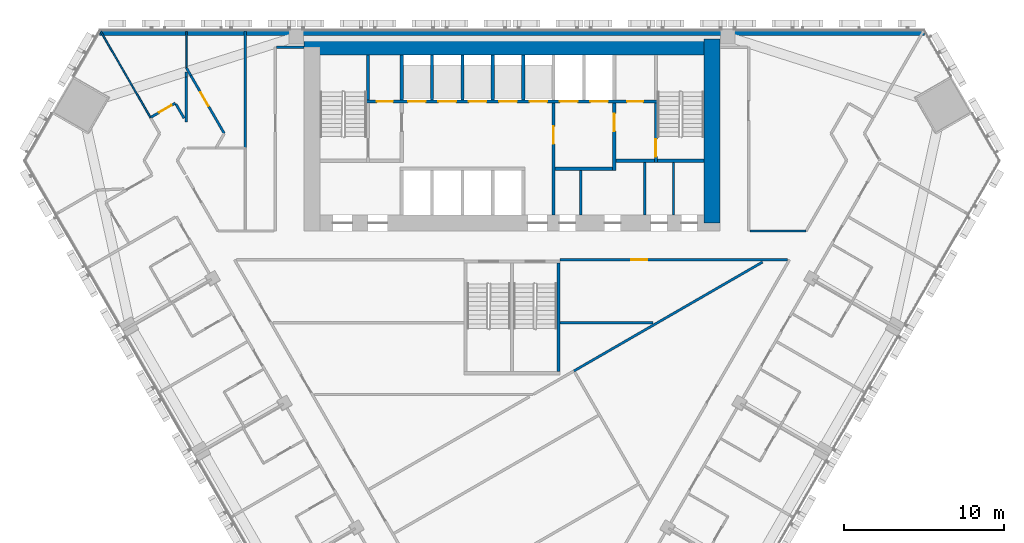
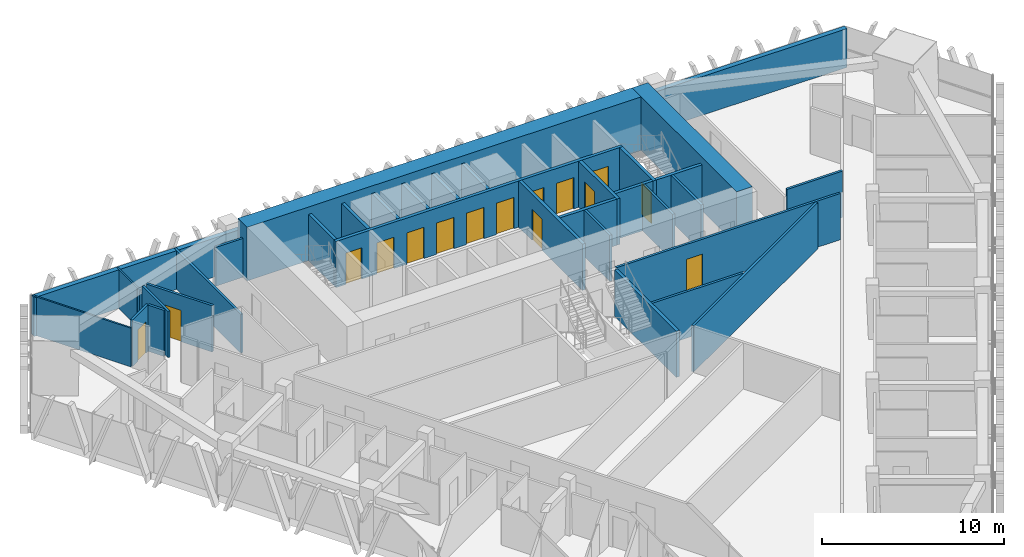
# One storey, part 12 of 17: 34 walls, 15 doors, 15 openings.
"""IFC4 building model written with IfcOpenShell, lengths in metres."""

from ifc_helpers import new_model, si_unit, direction, frame, frame_2d, origin, place, context, subcontext, project, spatial, rectangle, extrude, material, layer, layer_set, type_object, element, fill, save


model = new_model("IFC4")

# Units and contexts
model_context = context("Model", 3, precision=1e-05, world=origin(), true_north=direction((0.0, 1.0)))
body_context = subcontext(model_context, "Body", "Model", "MODEL_VIEW")
ifc_project = project(units=[si_unit("LENGTHUNIT", "METRE"), si_unit("AREAUNIT", "SQUARE_METRE"), si_unit("VOLUMEUNIT", "CUBIC_METRE"), si_unit("PLANEANGLEUNIT", "RADIAN"), si_unit("MASSUNIT", "GRAM", prefix="KILO")], contexts=[model_context])

# Site, building, storey
site_placement = place(None, origin())
site = spatial("IfcSite", under=ifc_project, at=site_placement, CompositionType="ELEMENT")
building_placement = place(site_placement, origin())
building = spatial("IfcBuilding", under=site, at=building_placement, Name="Altiplano Prism Tower", CompositionType="ELEMENT")
storey_placement = place(building_placement, frame((0.0, 0.0, 52.199951171875)))
storey = spatial("IfcBuildingStorey", under=building, at=storey_placement, Name="L12", CompositionType="ELEMENT", Elevation=52.199951171875)

# Walls
ifc_material_1 = material(Name="Concrete C70/85", Category="concrete")
ifc_layer_1 = layer(ifc_material_1, 1.0)
ifc_layer_set_1 = layer_set([ifc_layer_1], Name="Concrete C70/85")
wall_type_1 = type_object("IfcWallType", Name="Core wall 1000", PredefinedType="SHEAR", material=ifc_layer_set_1)
wall_1_placement = place(storey_placement, frame((97.5, 92.89990234375, 0.0), z_axis=(0.0, 0.0, 1.0), x_axis=(0.0, 1.0, 0.0)))
element("IfcWall", 1, at=wall_1_placement, inside=storey, type_object=wall_type_1, Name="Core wall E L12", PredefinedType="SHEAR", context=body_context, shape_type="SweptSolid", body=[
    extrude(rectangle(XDim=11.5, YDim=1.0, at=frame_2d((5.75, 0.0))), origin(), (0.0, 0.0, 1.0), 3.60009765625),
])
wall_2_placement = place(storey_placement, frame((97.5, 103.89990234375, 0.0), z_axis=(0.0, 0.0, 1.0), x_axis=(-1.0, 0.0, 0.0)))
element("IfcWall", 2, at=wall_2_placement, inside=storey, type_object=wall_type_1, Name="Core wall N L12", PredefinedType="SHEAR", context=body_context, shape_type="SweptSolid", body=[
    extrude(rectangle(XDim=25.5, YDim=1.0, at=frame_2d((12.75, 0.0))), origin(), (0.0, 0.0, 1.0), 3.60009765625),
])
ifc_material_2 = material(Name="Plasterboard on steel stud", Category="steel")
ifc_layer_2 = layer(ifc_material_2, 0.10009765625)
ifc_layer_set_2 = layer_set([ifc_layer_2], Name="Plasterboard on steel stud")
wall_type_2 = type_object("IfcWallType", Name="Partition 100 wet", PredefinedType="PARTITIONING", material=ifc_layer_set_2)
wall_3_placement = place(storey_placement, frame((64.626708984375, 102.614501953125, 0.0), z_axis=(0.0, 0.0, 1.0), x_axis=(0.0, 1.0, 0.0)))
element("IfcWall", 3, at=wall_3_placement, inside=storey, type_object=wall_type_2, Name="Partition P03 L12 049", PredefinedType="PARTITIONING", context=body_context, shape_type="SweptSolid", body=[
    extrude(rectangle(XDim=2.285400390625, YDim=0.10009765625, at=frame_2d((1.142578125, 0.0))), origin(), (0.0, 0.0, 1.0), 2.60009765625),
])
wall_4_placement = place(storey_placement, frame((59.265625, 104.89990234375, 0.0), z_axis=(0.0, 0.0, 1.0), x_axis=(0.500005118993, -0.866022448312, 0.0)))
element("IfcWall", 4, at=wall_4_placement, inside=storey, type_object=wall_type_2, Name="Partition P03 L12 050", PredefinedType="PARTITIONING", context=body_context, shape_type="SweptSolid", body=[
    extrude(rectangle(XDim=6.25537109375, YDim=0.10009765625, at=frame_2d((3.127685546875, 0.0))), origin(), (0.0, 0.0, 1.0), 2.60009765625),
])
ifc_layer_3 = layer(ifc_material_2, 0.14990234375)
ifc_layer_set_3 = layer_set([ifc_layer_3], Name="Plasterboard on steel stud")
wall_type_3 = type_object("IfcWallType", Name="Partition 150 corridor", PredefinedType="PARTITIONING", material=ifc_layer_set_3)
wall_5_placement = place(storey_placement, frame((64.626708984375, 102.33447265625, 0.0), z_axis=(0.0, 0.0, 1.0), x_axis=(0.0, -1.0, 0.0)))
element("IfcWall", 5, at=wall_5_placement, inside=storey, type_object=wall_type_3, Name="Partition P06 L12 005", PredefinedType="PARTITIONING", context=body_context, shape_type="SweptSolid", body=[
    extrude(rectangle(XDim=0.30224609375, YDim=0.14990234375, at=frame_2d((0.151123046875, 0.0))), origin(), (0.0, 0.0, 1.0), 2.60009765625),
])
wall_6_placement = place(storey_placement, frame((64.626708984375, 102.0322265625, 0.0), z_axis=(0.0, 0.0, 1.0), x_axis=(0.0, -1.0, 0.0)))
element("IfcWall", 6, at=wall_6_placement, inside=storey, type_object=wall_type_3, Name="Partition P06 L12 006", PredefinedType="PARTITIONING", context=body_context, shape_type="SweptSolid", body=[
    extrude(rectangle(XDim=2.81787109375, YDim=0.14990234375, at=frame_2d((1.408935546875, 0.0))), origin(), (0.0, 0.0, 1.0), 3.10009765625),
])
wall_7_placement = place(storey_placement, frame((64.48681640625, 99.456787109375, 0.0), z_axis=(0.0, 0.0, 1.0), x_axis=(-0.500048947491, 0.865997142093, 0.0)))
element("IfcWall", 7, at=wall_7_placement, inside=storey, type_object=wall_type_3, Name="Partition P06 L12 007", PredefinedType="PARTITIONING", context=body_context, shape_type="SweptSolid", body=[
    extrude(rectangle(XDim=1.01416015625, YDim=0.14990234375, at=frame_2d((0.507080078125, 0.0))), origin(), (0.0, 0.0, 1.0), 3.10009765625),
])

# Wall, opening, door
wall_8_placement = place(storey_placement, frame((63.9423828125, 100.39990234375, 0.0), z_axis=(0.0, 0.0, 1.0), x_axis=(-0.866036909293, -0.499980071345, 0.0)))
wall_8 = element("IfcWall", 8, at=wall_8_placement, inside=storey, type_object=wall_type_3, Name="Partition P06 L12 008", PredefinedType="PARTITIONING", context=body_context, shape_type="SweptSolid", body=[
    extrude(rectangle(XDim=1.75, YDim=0.14990234375, at=frame_2d((0.875, 0.0))), origin(), (0.0, 0.0, 1.0), 3.10009765625),
])
opening_1_placement = place(wall_8_placement, frame((0.27001953125, 0.0, 0.0)))
opening_1 = element("IfcOpeningElement", 9, at=opening_1_placement, cuts=wall_8, Name="Opening D0473", PredefinedType="OPENING", context=body_context, shape_type="SweptSolid", body=[
    extrude(rectangle(XDim=0.89990234375, YDim=2.10009765625, at=frame_2d((0.449951171875, 1.050048828125))), frame((0.0, 0.08544921875, 0.0), z_axis=(0.0, -1.0, 0.0), x_axis=(1.0, 0.0, 0.0)), (0.0, 0.0, 1.0), 0.1708984375),
])
ifc_material_3 = material(Name="Timber", Category="wood")
door_type_1 = type_object("IfcDoorType", Name="Toilet door 900 x 2100", OperationType="NOTDEFINED", PredefinedType="NOTDEFINED", material=ifc_material_3)
door_1_placement = place(opening_1_placement, origin())
door_1 = element("IfcDoor", 10, at=door_1_placement, inside=storey, type_object=door_type_1, Name="Door D0473", OperationType="SINGLE_SWING_LEFT", OverallHeight=2.10009765625, OverallWidth=0.89990234375, PredefinedType="NOTDEFINED", context=body_context, shape_type="SweptSolid", body=[
    extrude(rectangle(XDim=0.89990234375, YDim=2.10009765625, at=frame_2d((0.449951171875, 1.050048828125))), frame((0.0, 0.02490234375, 0.0), z_axis=(0.0, -1.0, 0.0), x_axis=(1.0, 0.0, 0.0)), (0.0, 0.0, 1.0), 0.050048828125),
])
fill(opening_1, door_1)

# Wall
wall_9_placement = place(storey_placement, frame((72.0, 103.89990234375, 0.0), z_axis=(0.0, 0.0, 1.0), x_axis=(-1.0, 0.0, 0.0)))
element("IfcWall", 11, at=wall_9_placement, inside=storey, type_object=wall_type_3, Name="Partition P06 L12 009", PredefinedType="PARTITIONING", context=body_context, shape_type="SweptSolid", body=[
    extrude(rectangle(XDim=1.72509765625, YDim=0.14990234375, at=frame_2d((0.862548828125, 0.0))), origin(), (0.0, 0.0, 1.0), 2.60009765625),
])

# Wall, opening, door
wall_10_placement = place(storey_placement, frame((67.002197265625, 98.5, 0.0), z_axis=(0.0, 0.0, 1.0), x_axis=(-0.499993610973, 0.866029092459, 0.0)))
wall_10 = element("IfcWall", 12, at=wall_10_placement, inside=storey, type_object=wall_type_3, Name="Partition P06 L12 013", PredefinedType="PARTITIONING", context=body_context, shape_type="SweptSolid", body=[
    extrude(rectangle(XDim=4.1826171875, YDim=0.14990234375, at=frame_2d((2.09130859375, 0.0))), origin(), (0.0, 0.0, 1.0), 3.10009765625),
])
opening_2_placement = place(wall_10_placement, frame((1.98291015625, 0.0, 0.0)))
opening_2 = element("IfcOpeningElement", 13, at=opening_2_placement, cuts=wall_10, Name="Opening D0475", PredefinedType="OPENING", context=body_context, shape_type="SweptSolid", body=[
    extrude(rectangle(XDim=1.0, YDim=2.10009765625, at=frame_2d((0.5, 1.050048828125))), frame((0.0, 0.08544921875, 0.0), z_axis=(0.0, -1.0, 0.0), x_axis=(1.0, 0.0, 0.0)), (0.0, 0.0, 1.0), 0.1708984375),
])
door_type_2 = type_object("IfcDoorType", Name="Store door 1000 x 2100", OperationType="NOTDEFINED", PredefinedType="NOTDEFINED", material=ifc_material_3)
door_2_placement = place(opening_2_placement, origin())
door_2 = element("IfcDoor", 14, at=door_2_placement, inside=storey, type_object=door_type_2, Name="Door D0475", OperationType="SINGLE_SWING_LEFT", OverallHeight=2.10009765625, OverallWidth=1.0, PredefinedType="NOTDEFINED", context=body_context, shape_type="SweptSolid", body=[
    extrude(rectangle(XDim=1.0, YDim=2.10009765625, at=frame_2d((0.5, 1.050048828125))), frame((0.0, 0.02490234375, 0.0), z_axis=(0.0, -1.0, 0.0), x_axis=(1.0, 0.0, 0.0)), (0.0, 0.0, 1.0), 0.050048828125),
])
fill(opening_2, door_2)

# Walls
wall_11_placement = place(storey_placement, frame((64.910888671875, 102.122314453125, 0.0), z_axis=(0.0, 0.0, 1.0), x_axis=(-0.50001992892, 0.866013897511, 0.0)))
element("IfcWall", 15, at=wall_11_placement, inside=storey, type_object=wall_type_3, Name="Partition P06 L12 014", PredefinedType="PARTITIONING", context=body_context, shape_type="SweptSolid", body=[
    extrude(rectangle(XDim=0.568359375, YDim=0.14990234375, at=frame_2d((0.2841796875, 0.0))), origin(), (0.0, 0.0, 1.0), 2.60009765625),
])
wall_12_placement = place(storey_placement, frame((103.39453125, 92.39990234375, 0.0), z_axis=(0.0, 0.0, 1.0), x_axis=(-1.0, 0.0, 0.0)))
element("IfcWall", 16, at=wall_12_placement, inside=storey, type_object=wall_type_3, Name="Partition P06 L12 040", PredefinedType="PARTITIONING", context=body_context, shape_type="SweptSolid", body=[
    extrude(rectangle(XDim=3.51953125, YDim=0.14990234375, at=frame_2d((1.759765625, 0.0))), origin(), (0.0, 0.0, 1.0), 3.10009765625),
])

# Wall, opening, door
wall_13_placement = place(storey_placement, frame((88.0, 90.59912109375, 0.0), z_axis=(0.0, 0.0, 1.0), x_axis=(0.999999997644, 6.8649493e-05, 0.0)))
wall_13 = element("IfcWall", 17, at=wall_13_placement, inside=storey, type_object=wall_type_3, Name="Partition P06 L12 046", PredefinedType="PARTITIONING", context=body_context, shape_type="SweptSolid", body=[
    extrude(rectangle(XDim=14.225341796875, YDim=0.14990234375, at=frame_2d((7.11279296875, 0.0))), origin(), (0.0, 0.0, 1.0), 3.10009765625),
])
opening_3_placement = place(wall_13_placement, frame((4.45703125, 0.0, 0.0)))
opening_3 = element("IfcOpeningElement", 18, at=opening_3_placement, cuts=wall_13, Name="Opening D0521", PredefinedType="OPENING", context=body_context, shape_type="SweptSolid", body=[
    extrude(rectangle(XDim=1.0, YDim=2.10009765625, at=frame_2d((0.5, 1.050048828125))), frame((0.0, 0.08544921875, 0.0), z_axis=(0.0, -1.0, 0.0), x_axis=(1.0, 0.0, 0.0)), (0.0, 0.0, 1.0), 0.1708984375),
])
door_type_3 = type_object("IfcDoorType", Name="Room door 1000 x 2100", OperationType="NOTDEFINED", PredefinedType="NOTDEFINED", material=ifc_material_3)
door_3_placement = place(opening_3_placement, origin())
door_3 = element("IfcDoor", 19, at=door_3_placement, inside=storey, type_object=door_type_3, Name="Door D0521", OperationType="SINGLE_SWING_LEFT", OverallHeight=2.10009765625, OverallWidth=1.0, PredefinedType="NOTDEFINED", context=body_context, shape_type="SweptSolid", body=[
    extrude(rectangle(XDim=1.0, YDim=2.10009765625, at=frame_2d((0.5, 1.050048828125))), frame((0.0, 0.02490234375, 0.0), z_axis=(0.0, -1.0, 0.0), x_axis=(1.0, 0.0, 0.0)), (0.0, 0.0, 1.0), 0.050048828125),
])
fill(opening_3, door_3)

# Walls
ifc_layer_4 = layer(ifc_material_2, 0.14990234375)
ifc_layer_set_4 = layer_set([ifc_layer_4], Name="Plasterboard on steel stud")
wall_type_4 = type_object("IfcWallType", Name="Partition 150 party", PredefinedType="PARTITIONING", material=ifc_layer_set_4)
wall_14_placement = place(storey_placement, frame((68.3134765625, 104.89990234375, 0.0), z_axis=(0.0, 0.0, 1.0), x_axis=(0.0, -1.0, 0.0)))
element("IfcWall", 20, at=wall_14_placement, inside=storey, type_object=wall_type_4, Name="Partition P01 L12 051", PredefinedType="PARTITIONING", context=body_context, shape_type="SweptSolid", body=[
    extrude(rectangle(XDim=7.3037109375, YDim=0.14990234375, at=frame_2d((3.65185546875, 0.0))), origin(), (0.0, 0.0, 1.0), 2.60009765625),
])
wall_15_placement = place(storey_placement, frame((100.675537109375, 90.4599609375, 0.0), z_axis=(0.0, 0.0, 1.0), x_axis=(-0.866019571687, -0.500010101354, 0.0)))
element("IfcWall", 21, at=wall_15_placement, inside=storey, type_object=wall_type_4, Name="Partition P01 L12 113", PredefinedType="PARTITIONING", context=body_context, shape_type="SweptSolid", body=[
    extrude(rectangle(XDim=13.640869140625, YDim=0.14990234375, at=frame_2d((6.8203125, 0.0))), origin(), (0.0, 0.0, 1.0), 3.10009765625),
])
wall_16_placement = place(storey_placement, frame((93.814453125, 86.66015625, 0.0), z_axis=(0.0, 0.0, 1.0), x_axis=(-1.0, 0.0, 0.0)))
element("IfcWall", 22, at=wall_16_placement, inside=storey, type_object=wall_type_4, Name="Partition P01 L12 118", PredefinedType="PARTITIONING", context=body_context, shape_type="SweptSolid", body=[
    extrude(rectangle(XDim=5.814453125, YDim=0.14990234375, at=frame_2d((2.9072265625, 0.0))), origin(), (0.0, 0.0, 1.0), 3.10009765625),
])
ifc_material_4 = material(Name="Fire-rated gypsum board partition")
ifc_layer_5 = layer(ifc_material_4, 0.14990234375)
ifc_layer_set_5 = layer_set([ifc_layer_5], Name="Fire-rated gypsum board partition")
wall_type_5 = type_object("IfcWallType", Name="Room partition 150", PredefinedType="PARTITIONING", material=ifc_layer_set_5)
wall_17_placement = place(storey_placement, frame((89.300048828125, 93.39990234375, 0.0), z_axis=(0.0, 0.0, 1.0), x_axis=(0.0, 1.0, 0.0)))
element("IfcWall", 23, at=wall_17_placement, inside=storey, type_object=wall_type_5, Name="Room partition L12", PredefinedType="PARTITIONING", context=body_context, shape_type="SweptSolid", body=[
    extrude(rectangle(XDim=2.800048828125, YDim=0.14990234375, at=frame_2d((1.39990234375, 0.0))), origin(), (0.0, 0.0, 1.0), 3.10009765625),
])
for number, where, z_axis, x_axis, name in (
    (24, (93.300048828125, 93.39990234375, 0.0), (0.0, 0.0, 1.0), (0.0, 1.0, 0.0), "Room partition L12"),
    (25, (95.10009765625, 93.39990234375, 0.0), (0.0, 0.0, 1.0), (0.0, 1.0, 0.0), "Room partition L12"),
):
    element("IfcWall", number, at=place(storey_placement, frame(where, z_axis=z_axis, x_axis=x_axis)), inside=storey, type_object=wall_type_5, Name=name, PredefinedType="PARTITIONING", context=body_context, shape_type="SweptSolid", body=[
        extrude(rectangle(XDim=3.300048828125, YDim=0.14990234375, at=frame_2d((1.64990234375, 0.0))), origin(), (0.0, 0.0, 1.0), 3.10009765625),
    ])
ifc_material_5 = material(Name="Concrete C60/75", Category="concrete")
ifc_layer_6 = layer(ifc_material_5, 0.199951171875)
ifc_layer_set_6 = layer_set([ifc_layer_6], Name="Concrete C60/75")
wall_type_6 = type_object("IfcWallType", Name="Shaft wall 200", PredefinedType="SOLIDWALL", material=ifc_layer_set_6)
for number, where, z_axis, x_axis, name in (
    (26, (78.10009765625, 100.60009765625, 0.0), (0.0, 0.0, 1.0), (0.0, 1.0, 0.0), "Shaft wall L12"),
    (27, (80.0, 100.60009765625, 0.0), (0.0, 0.0, 1.0), (0.0, 1.0, 0.0), "Shaft wall L12"),
    (28, (81.89990234375, 100.60009765625, 0.0), (0.0, 0.0, 1.0), (0.0, 1.0, 0.0), "Shaft wall L12"),
    (29, (83.800048828125, 100.60009765625, 0.0), (0.0, 0.0, 1.0), (0.0, 1.0, 0.0), "Shaft wall L12"),
    (30, (85.699951171875, 100.60009765625, 0.0), (0.0, 0.0, 1.0), (0.0, 1.0, 0.0), "Shaft wall L12"),
):
    element("IfcWall", number, at=place(storey_placement, frame(where, z_axis=z_axis, x_axis=x_axis)), inside=storey, type_object=wall_type_6, Name=name, PredefinedType="SOLIDWALL", context=body_context, shape_type="SweptSolid", body=[
        extrude(rectangle(XDim=2.7998046875, YDim=0.199951171875, at=frame_2d((1.39990234375, 0.0))), origin(), (0.0, 0.0, 1.0), 3.10009765625),
    ])

# Wall, opening, door
ifc_layer_7 = layer(ifc_material_5, 0.199951171875)
ifc_layer_set_7 = layer_set([ifc_layer_7], Name="Concrete C60/75")
wall_type_7 = type_object("IfcWallType", Name="Stair wall 200", PredefinedType="SOLIDWALL", material=ifc_layer_set_7)
wall_18_placement = place(storey_placement, frame((94.0, 96.699951171875, 0.0), z_axis=(0.0, 0.0, 1.0), x_axis=(0.0, 1.0, 0.0)))
wall_18 = element("IfcWall", 31, at=wall_18_placement, inside=storey, type_object=wall_type_7, Name="Stair wall L12", PredefinedType="SOLIDWALL", context=body_context, shape_type="SweptSolid", body=[
    extrude(rectangle(XDim=3.699951171875, YDim=0.199951171875, at=frame_2d((1.85009765625, 0.0))), origin(), (0.0, 0.0, 1.0), 3.10009765625),
])
opening_4_placement = place(wall_18_placement, frame((0.35009765625, 0.0, 0.0)))
opening_4 = element("IfcOpeningElement", 32, at=opening_4_placement, cuts=wall_18, Name="Opening D2747", PredefinedType="OPENING", context=body_context, shape_type="SweptSolid", body=[
    extrude(rectangle(XDim=1.10009765625, YDim=2.10009765625, at=frame_2d((0.550048828125, 1.050048828125))), frame((0.0, 0.1103515625, 0.0), z_axis=(0.0, -1.0, 0.0), x_axis=(1.0, 0.0, 0.0)), (0.0, 0.0, 1.0), 0.220947265625),
])
ifc_material_6 = material(Name="Fire-rated steel door", Category="steel")
door_type_4 = type_object("IfcDoorType", Name="Stair fire door 1100 x 2100", OperationType="NOTDEFINED", PredefinedType="NOTDEFINED", material=ifc_material_6)
door_4_placement = place(opening_4_placement, origin())
door_4 = element("IfcDoor", 33, at=door_4_placement, inside=storey, type_object=door_type_4, Name="Stair fire door D2747", OperationType="SINGLE_SWING_LEFT", OverallHeight=2.10009765625, OverallWidth=1.10009765625, PredefinedType="NOTDEFINED", context=body_context, shape_type="SweptSolid", body=[
    extrude(rectangle(XDim=1.10009765625, YDim=2.10009765625, at=frame_2d((0.550048828125, 1.050048828125))), frame((0.0, 0.02490234375, 0.0), z_axis=(0.0, -1.0, 0.0), x_axis=(1.0, 0.0, 0.0)), (0.0, 0.0, 1.0), 0.050048828125),
])
fill(opening_4, door_4)

# Wall
wall_19_placement = place(storey_placement, frame((94.10009765625, 96.800048828125, 0.0), z_axis=(0.0, 0.0, 1.0), x_axis=(1.0, 0.0, 0.0)))
element("IfcWall", 34, at=wall_19_placement, inside=storey, type_object=wall_type_7, Name="Stair wall L12", PredefinedType="SOLIDWALL", context=body_context, shape_type="SweptSolid", body=[
    extrude(rectangle(XDim=2.89990234375, YDim=0.199951171875, at=frame_2d((1.449951171875, 0.0))), origin(), (0.0, 0.0, 1.0), 3.10009765625),
])

# Wall, openings, doors
wall_20_placement = place(storey_placement, frame((75.89990234375, 100.5, 0.0), z_axis=(0.0, 0.0, 1.0), x_axis=(1.0, 0.0, 0.0)))
wall_20 = element("IfcWall", 35, at=wall_20_placement, inside=storey, type_object=wall_type_7, Name="Stair wall L12", PredefinedType="SOLIDWALL", context=body_context, shape_type="SweptSolid", body=[
    extrude(rectangle(XDim=18.2001953125, YDim=0.199951171875, at=frame_2d((9.10009765625, 0.0))), origin(), (0.0, 0.0, 1.0), 3.10009765625),
])
opening_5_placement = place(wall_20_placement, frame((2.60009765625, 0.0, 0.0)))
opening_5 = element("IfcOpeningElement", 36, at=opening_5_placement, cuts=wall_20, Name="Opening LD-LL1-L12", PredefinedType="OPENING", context=body_context, shape_type="SweptSolid", body=[
    extrude(rectangle(XDim=1.10009765625, YDim=2.10009765625, at=frame_2d((0.550048828125, 1.050048828125))), frame((0.0, 0.1103515625, 0.0), z_axis=(0.0, -1.0, 0.0), x_axis=(1.0, 0.0, 0.0)), (0.0, 0.0, 1.0), 0.220947265625),
])
opening_6_placement = place(wall_20_placement, frame((4.5, 0.0, 0.0)))
opening_6 = element("IfcOpeningElement", 37, at=opening_6_placement, cuts=wall_20, Name="Opening LD-LL2-L12", PredefinedType="OPENING", context=body_context, shape_type="SweptSolid", body=[
    extrude(rectangle(XDim=1.10009765625, YDim=2.10009765625, at=frame_2d((0.550048828125, 1.050048828125))), frame((0.0, 0.1103515625, 0.0), z_axis=(0.0, -1.0, 0.0), x_axis=(1.0, 0.0, 0.0)), (0.0, 0.0, 1.0), 0.220947265625),
])
opening_7_placement = place(wall_20_placement, frame((6.39990234375, 0.0, 0.0)))
opening_7 = element("IfcOpeningElement", 38, at=opening_7_placement, cuts=wall_20, Name="Opening LD-LL3-L12", PredefinedType="OPENING", context=body_context, shape_type="SweptSolid", body=[
    extrude(rectangle(XDim=1.10009765625, YDim=2.10009765625, at=frame_2d((0.550048828125, 1.050048828125))), frame((0.0, 0.1103515625, 0.0), z_axis=(0.0, -1.0, 0.0), x_axis=(1.0, 0.0, 0.0)), (0.0, 0.0, 1.0), 0.220947265625),
])
opening_8_placement = place(wall_20_placement, frame((8.300048828125, 0.0, 0.0)))
opening_8 = element("IfcOpeningElement", 39, at=opening_8_placement, cuts=wall_20, Name="Opening LD-LL4-L12", PredefinedType="OPENING", context=body_context, shape_type="SweptSolid", body=[
    extrude(rectangle(XDim=1.10009765625, YDim=2.10009765625, at=frame_2d((0.550048828125, 1.050048828125))), frame((0.0, 0.1103515625, 0.0), z_axis=(0.0, -1.0, 0.0), x_axis=(1.0, 0.0, 0.0)), (0.0, 0.0, 1.0), 0.220947265625),
])
opening_9_placement = place(wall_20_placement, frame((10.199951171875, 0.0, 0.0)))
opening_9 = element("IfcOpeningElement", 40, at=opening_9_placement, cuts=wall_20, Name="Opening LD-LL5-L12", PredefinedType="OPENING", context=body_context, shape_type="SweptSolid", body=[
    extrude(rectangle(XDim=1.10009765625, YDim=2.10009765625, at=frame_2d((0.550048828125, 1.050048828125))), frame((0.0, 0.1103515625, 0.0), z_axis=(0.0, -1.0, 0.0), x_axis=(1.0, 0.0, 0.0)), (0.0, 0.0, 1.0), 0.220947265625),
])
opening_10_placement = place(wall_20_placement, frame((12.10009765625, 0.0, 0.0)))
opening_10 = element("IfcOpeningElement", 41, at=opening_10_placement, cuts=wall_20, Name="Opening LD-FF1-L12", PredefinedType="OPENING", context=body_context, shape_type="SweptSolid", body=[
    extrude(rectangle(XDim=1.10009765625, YDim=2.10009765625, at=frame_2d((0.550048828125, 1.050048828125))), frame((0.0, 0.1103515625, 0.0), z_axis=(0.0, -1.0, 0.0), x_axis=(1.0, 0.0, 0.0)), (0.0, 0.0, 1.0), 0.220947265625),
])
opening_11_placement = place(wall_20_placement, frame((14.0, 0.0, 0.0)))
opening_11 = element("IfcOpeningElement", 42, at=opening_11_placement, cuts=wall_20, Name="Opening LD-FF2-L12", PredefinedType="OPENING", context=body_context, shape_type="SweptSolid", body=[
    extrude(rectangle(XDim=1.10009765625, YDim=2.10009765625, at=frame_2d((0.550048828125, 1.050048828125))), frame((0.0, 0.1103515625, 0.0), z_axis=(0.0, -1.0, 0.0), x_axis=(1.0, 0.0, 0.0)), (0.0, 0.0, 1.0), 0.220947265625),
])
opening_12_placement = place(wall_20_placement, frame((0.64990234375, 0.0, 0.0)))
opening_12 = element("IfcOpeningElement", 43, at=opening_12_placement, cuts=wall_20, Name="Opening D2754", PredefinedType="OPENING", context=body_context, shape_type="SweptSolid", body=[
    extrude(rectangle(XDim=1.0, YDim=2.10009765625, at=frame_2d((0.5, 1.050048828125))), frame((0.0, 0.1103515625, 0.0), z_axis=(0.0, -1.0, 0.0), x_axis=(1.0, 0.0, 0.0)), (0.0, 0.0, 1.0), 0.220947265625),
])
opening_13_placement = place(wall_20_placement, frame((16.300048828125, 0.0, 0.0)))
opening_13 = element("IfcOpeningElement", 44, at=opening_13_placement, cuts=wall_20, Name="Opening D2755", PredefinedType="OPENING", context=body_context, shape_type="SweptSolid", body=[
    extrude(rectangle(XDim=1.0, YDim=2.10009765625, at=frame_2d((0.5, 1.050048828125))), frame((0.0, 0.1103515625, 0.0), z_axis=(0.0, -1.0, 0.0), x_axis=(1.0, 0.0, 0.0)), (0.0, 0.0, 1.0), 0.220947265625),
])
door_type_5 = type_object("IfcDoorType", Name="Core room door 1000 x 2100", OperationType="NOTDEFINED", PredefinedType="NOTDEFINED", material=ifc_material_6)
door_5_placement = place(opening_12_placement, origin())
door_5 = element("IfcDoor", 45, at=door_5_placement, inside=storey, type_object=door_type_5, Name="Core room door D2754", OperationType="SINGLE_SWING_LEFT", OverallHeight=2.10009765625, OverallWidth=1.0, PredefinedType="NOTDEFINED", context=body_context, shape_type="SweptSolid", body=[
    extrude(rectangle(XDim=1.0, YDim=2.10009765625, at=frame_2d((0.5, 1.050048828125))), frame((0.0, 0.02490234375, 0.0), z_axis=(0.0, -1.0, 0.0), x_axis=(1.0, 0.0, 0.0)), (0.0, 0.0, 1.0), 0.050048828125),
])
fill(opening_12, door_5)
door_6_placement = place(opening_13_placement, origin())
door_6 = element("IfcDoor", 46, at=door_6_placement, inside=storey, type_object=door_type_5, Name="Core room door D2755", OperationType="SINGLE_SWING_RIGHT", OverallHeight=2.10009765625, OverallWidth=1.0, PredefinedType="NOTDEFINED", context=body_context, shape_type="SweptSolid", body=[
    extrude(rectangle(XDim=1.0, YDim=2.10009765625, at=frame_2d((0.5, 1.050048828125))), frame((0.0, 0.02490234375, 0.0), z_axis=(0.0, -1.0, 0.0), x_axis=(1.0, 0.0, 0.0)), (0.0, 0.0, 1.0), 0.050048828125),
])
fill(opening_13, door_6)
ifc_material_7 = material(Name="Stainless steel landing door", Category="steel")
door_type_6 = type_object("IfcDoorType", Name="Landing door 1100 x 2100", OperationType="NOTDEFINED", PredefinedType="NOTDEFINED", material=ifc_material_7)
door_7_placement = place(opening_5_placement, origin())
door_7 = element("IfcDoor", 47, at=door_7_placement, inside=storey, type_object=door_type_6, Name="Landing doors LL1", OperationType="SLIDING_TO_RIGHT", OverallHeight=2.10009765625, OverallWidth=1.10009765625, PredefinedType="NOTDEFINED", context=body_context, shape_type="SweptSolid", body=[
    extrude(rectangle(XDim=1.10009765625, YDim=2.10009765625, at=frame_2d((0.550048828125, 1.050048828125))), frame((0.0, 0.02490234375, 0.0), z_axis=(0.0, -1.0, 0.0), x_axis=(1.0, 0.0, 0.0)), (0.0, 0.0, 1.0), 0.050048828125),
])
fill(opening_5, door_7)
door_8_placement = place(opening_6_placement, origin())
door_8 = element("IfcDoor", 48, at=door_8_placement, inside=storey, type_object=door_type_6, Name="Landing doors LL2", OperationType="SLIDING_TO_LEFT", OverallHeight=2.10009765625, OverallWidth=1.10009765625, PredefinedType="NOTDEFINED", context=body_context, shape_type="SweptSolid", body=[
    extrude(rectangle(XDim=1.10009765625, YDim=2.10009765625, at=frame_2d((0.550048828125, 1.050048828125))), frame((0.0, 0.02490234375, 0.0), z_axis=(0.0, -1.0, 0.0), x_axis=(1.0, 0.0, 0.0)), (0.0, 0.0, 1.0), 0.050048828125),
])
fill(opening_6, door_8)
door_9_placement = place(opening_7_placement, origin())
door_9 = element("IfcDoor", 49, at=door_9_placement, inside=storey, type_object=door_type_6, Name="Landing doors LL3", OperationType="SLIDING_TO_RIGHT", OverallHeight=2.10009765625, OverallWidth=1.10009765625, PredefinedType="NOTDEFINED", context=body_context, shape_type="SweptSolid", body=[
    extrude(rectangle(XDim=1.10009765625, YDim=2.10009765625, at=frame_2d((0.550048828125, 1.050048828125))), frame((0.0, 0.02490234375, 0.0), z_axis=(0.0, -1.0, 0.0), x_axis=(1.0, 0.0, 0.0)), (0.0, 0.0, 1.0), 0.050048828125),
])
fill(opening_7, door_9)
door_10_placement = place(opening_8_placement, origin())
door_10 = element("IfcDoor", 50, at=door_10_placement, inside=storey, type_object=door_type_6, Name="Landing doors LL4", OperationType="SLIDING_TO_LEFT", OverallHeight=2.10009765625, OverallWidth=1.10009765625, PredefinedType="NOTDEFINED", context=body_context, shape_type="SweptSolid", body=[
    extrude(rectangle(XDim=1.10009765625, YDim=2.10009765625, at=frame_2d((0.550048828125, 1.050048828125))), frame((0.0, 0.02490234375, 0.0), z_axis=(0.0, -1.0, 0.0), x_axis=(1.0, 0.0, 0.0)), (0.0, 0.0, 1.0), 0.050048828125),
])
fill(opening_8, door_10)
door_11_placement = place(opening_9_placement, origin())
door_11 = element("IfcDoor", 51, at=door_11_placement, inside=storey, type_object=door_type_6, Name="Landing doors LL5", OperationType="SLIDING_TO_RIGHT", OverallHeight=2.10009765625, OverallWidth=1.10009765625, PredefinedType="NOTDEFINED", context=body_context, shape_type="SweptSolid", body=[
    extrude(rectangle(XDim=1.10009765625, YDim=2.10009765625, at=frame_2d((0.550048828125, 1.050048828125))), frame((0.0, 0.02490234375, 0.0), z_axis=(0.0, -1.0, 0.0), x_axis=(1.0, 0.0, 0.0)), (0.0, 0.0, 1.0), 0.050048828125),
])
fill(opening_9, door_11)
door_12_placement = place(opening_10_placement, origin())
door_12 = element("IfcDoor", 52, at=door_12_placement, inside=storey, type_object=door_type_6, Name="Landing doors FF1", OperationType="SLIDING_TO_RIGHT", OverallHeight=2.10009765625, OverallWidth=1.10009765625, PredefinedType="NOTDEFINED", context=body_context, shape_type="SweptSolid", body=[
    extrude(rectangle(XDim=1.10009765625, YDim=2.10009765625, at=frame_2d((0.550048828125, 1.050048828125))), frame((0.0, 0.02490234375, 0.0), z_axis=(0.0, -1.0, 0.0), x_axis=(1.0, 0.0, 0.0)), (0.0, 0.0, 1.0), 0.050048828125),
])
fill(opening_10, door_12)
door_13_placement = place(opening_11_placement, origin())
door_13 = element("IfcDoor", 53, at=door_13_placement, inside=storey, type_object=door_type_6, Name="Landing doors FF2", OperationType="SLIDING_TO_LEFT", OverallHeight=2.10009765625, OverallWidth=1.10009765625, PredefinedType="NOTDEFINED", context=body_context, shape_type="SweptSolid", body=[
    extrude(rectangle(XDim=1.10009765625, YDim=2.10009765625, at=frame_2d((0.550048828125, 1.050048828125))), frame((0.0, 0.02490234375, 0.0), z_axis=(0.0, -1.0, 0.0), x_axis=(1.0, 0.0, 0.0)), (0.0, 0.0, 1.0), 0.050048828125),
])
fill(opening_11, door_13)

# Walls
wall_21_placement = place(storey_placement, frame((76.0, 100.60009765625, 0.0), z_axis=(0.0, 0.0, 1.0), x_axis=(0.0, 1.0, 0.0)))
element("IfcWall", 54, at=wall_21_placement, inside=storey, type_object=wall_type_7, Name="Stair wall L12", PredefinedType="SOLIDWALL", context=body_context, shape_type="SweptSolid", body=[
    extrude(rectangle(XDim=2.7998046875, YDim=0.199951171875, at=frame_2d((1.39990234375, 0.0))), origin(), (0.0, 0.0, 1.0), 3.10009765625),
])
wall_22_placement = place(storey_placement, frame((87.89990234375, 83.60009765625, 0.0), z_axis=(0.0, 0.0, 1.0), x_axis=(0.0, 1.0, 0.0)))
element("IfcWall", 55, at=wall_22_placement, inside=storey, type_object=wall_type_7, Name="Stair 3 wall east L12", PredefinedType="SOLIDWALL", context=body_context, shape_type="SweptSolid", body=[
    extrude(rectangle(XDim=6.7998046875, YDim=0.199951171875, at=frame_2d((3.39990234375, 0.0))), origin(), (0.0, 0.0, 1.0), 3.10009765625),
])
ifc_material_8 = material(Name="Concrete C40", Category="concrete")
ifc_layer_8 = layer(ifc_material_8, 0.300048828125)
ifc_layer_set_8 = layer_set([ifc_layer_8], Name="Concrete C40")
wall_type_8 = type_object("IfcWallType", Name="Stone-clad external wall 300", PredefinedType="SOLIDWALL", material=ifc_layer_set_8)
wall_23_placement = place(storey_placement, frame((59.2080078125, 104.7900390625, 0.0), z_axis=(0.0, 0.0, 1.0), x_axis=(1.0, 0.0, 0.0)))
element("IfcWall", 56, at=wall_23_placement, inside=storey, type_object=wall_type_8, Name="External wall north face L12", PredefinedType="SOLIDWALL", context=body_context, shape_type="SweptSolid", body=[
    extrude(rectangle(XDim=51.583984375, YDim=0.300048828125, at=frame_2d((25.7919921875, 0.0))), origin(), (0.0, 0.0, 1.0), 2.60009765625),
])

# Wall, opening, door
ifc_layer_9 = layer(ifc_material_5, 0.199951171875)
ifc_layer_set_9 = layer_set([ifc_layer_9], Name="Concrete C60/75")
wall_type_9 = type_object("IfcWallType", Name="Vestibule wall 200", PredefinedType="PARTITIONING", material=ifc_layer_set_9)
wall_24_placement = place(storey_placement, frame((87.60009765625, 93.39990234375, 0.0), z_axis=(0.0, 0.0, 1.0), x_axis=(0.0, 1.0, 0.0)))
wall_24 = element("IfcWall", 57, at=wall_24_placement, inside=storey, type_object=wall_type_9, Name="Vestibule wall L12", PredefinedType="PARTITIONING", context=body_context, shape_type="SweptSolid", body=[
    extrude(rectangle(XDim=7.0, YDim=0.199951171875, at=frame_2d((3.5, 0.0))), origin(), (0.0, 0.0, 1.0), 3.10009765625),
])
opening_14_placement = place(wall_24_placement, frame((4.449951171875, 0.0, 0.0)))
opening_14 = element("IfcOpeningElement", 58, at=opening_14_placement, cuts=wall_24, Name="Opening D2749", PredefinedType="OPENING", context=body_context, shape_type="SweptSolid", body=[
    extrude(rectangle(XDim=1.10009765625, YDim=2.10009765625, at=frame_2d((0.550048828125, 1.050048828125))), frame((0.0, 0.1103515625, 0.0), z_axis=(0.0, -1.0, 0.0), x_axis=(1.0, 0.0, 0.0)), (0.0, 0.0, 1.0), 0.220947265625),
])
door_type_7 = type_object("IfcDoorType", Name="Vestibule fire door 1100 x 2100", OperationType="NOTDEFINED", PredefinedType="NOTDEFINED", material=ifc_material_6)
door_14_placement = place(opening_14_placement, origin())
door_14 = element("IfcDoor", 59, at=door_14_placement, inside=storey, type_object=door_type_7, Name="Vestibule fire door D2749", OperationType="SINGLE_SWING_RIGHT", OverallHeight=2.10009765625, OverallWidth=1.10009765625, PredefinedType="NOTDEFINED", context=body_context, shape_type="SweptSolid", body=[
    extrude(rectangle(XDim=1.10009765625, YDim=2.10009765625, at=frame_2d((0.550048828125, 1.050048828125))), frame((0.0, 0.02490234375, 0.0), z_axis=(0.0, -1.0, 0.0), x_axis=(1.0, 0.0, 0.0)), (0.0, 0.0, 1.0), 0.050048828125),
])
fill(opening_14, door_14)

# Wall
wall_25_placement = place(storey_placement, frame((87.699951171875, 96.300048828125, 0.0), z_axis=(0.0, 0.0, 1.0), x_axis=(1.0, 0.0, 0.0)))
element("IfcWall", 60, at=wall_25_placement, inside=storey, type_object=wall_type_9, Name="Vestibule wall L12", PredefinedType="PARTITIONING", context=body_context, shape_type="SweptSolid", body=[
    extrude(rectangle(XDim=3.60009765625, YDim=0.199951171875, at=frame_2d((1.800048828125, 0.0))), origin(), (0.0, 0.0, 1.0), 3.10009765625),
])

# Wall, opening, door
wall_26_placement = place(storey_placement, frame((91.39990234375, 96.199951171875, 0.0), z_axis=(0.0, 0.0, 1.0), x_axis=(0.0, 1.0, 0.0)))
wall_26 = element("IfcWall", 61, at=wall_26_placement, inside=storey, type_object=wall_type_9, Name="Vestibule wall L12", PredefinedType="PARTITIONING", context=body_context, shape_type="SweptSolid", body=[
    extrude(rectangle(XDim=4.199951171875, YDim=0.199951171875, at=frame_2d((2.10009765625, 0.0))), origin(), (0.0, 0.0, 1.0), 3.10009765625),
])
opening_15_placement = place(wall_26_placement, frame((2.449951171875, 0.0, 0.0)))
opening_15 = element("IfcOpeningElement", 62, at=opening_15_placement, cuts=wall_26, Name="Opening D2750", PredefinedType="OPENING", context=body_context, shape_type="SweptSolid", body=[
    extrude(rectangle(XDim=1.10009765625, YDim=2.10009765625, at=frame_2d((0.550048828125, 1.050048828125))), frame((0.0, 0.1103515625, 0.0), z_axis=(0.0, -1.0, 0.0), x_axis=(1.0, 0.0, 0.0)), (0.0, 0.0, 1.0), 0.220947265625),
])
door_15_placement = place(opening_15_placement, origin())
door_15 = element("IfcDoor", 63, at=door_15_placement, inside=storey, type_object=door_type_7, Name="Vestibule fire door D2750", OperationType="SINGLE_SWING_LEFT", OverallHeight=2.10009765625, OverallWidth=1.10009765625, PredefinedType="NOTDEFINED", context=body_context, shape_type="SweptSolid", body=[
    extrude(rectangle(XDim=1.10009765625, YDim=2.10009765625, at=frame_2d((0.550048828125, 1.050048828125))), frame((0.0, 0.02490234375, 0.0), z_axis=(0.0, -1.0, 0.0), x_axis=(1.0, 0.0, 0.0)), (0.0, 0.0, 1.0), 0.050048828125),
])
fill(opening_15, door_15)

# Wall
wall_27_placement = place(storey_placement, frame((91.5, 96.800048828125, 0.0), z_axis=(0.0, 0.0, 1.0), x_axis=(1.0, 0.0, 0.0)))
element("IfcWall", 64, at=wall_27_placement, inside=storey, type_object=wall_type_9, Name="Vestibule wall L12", PredefinedType="PARTITIONING", context=body_context, shape_type="SweptSolid", body=[
    extrude(rectangle(XDim=2.39990234375, YDim=0.199951171875, at=frame_2d((1.199951171875, 0.0))), origin(), (0.0, 0.0, 1.0), 3.10009765625),
])

save(model, "model.ifc")
